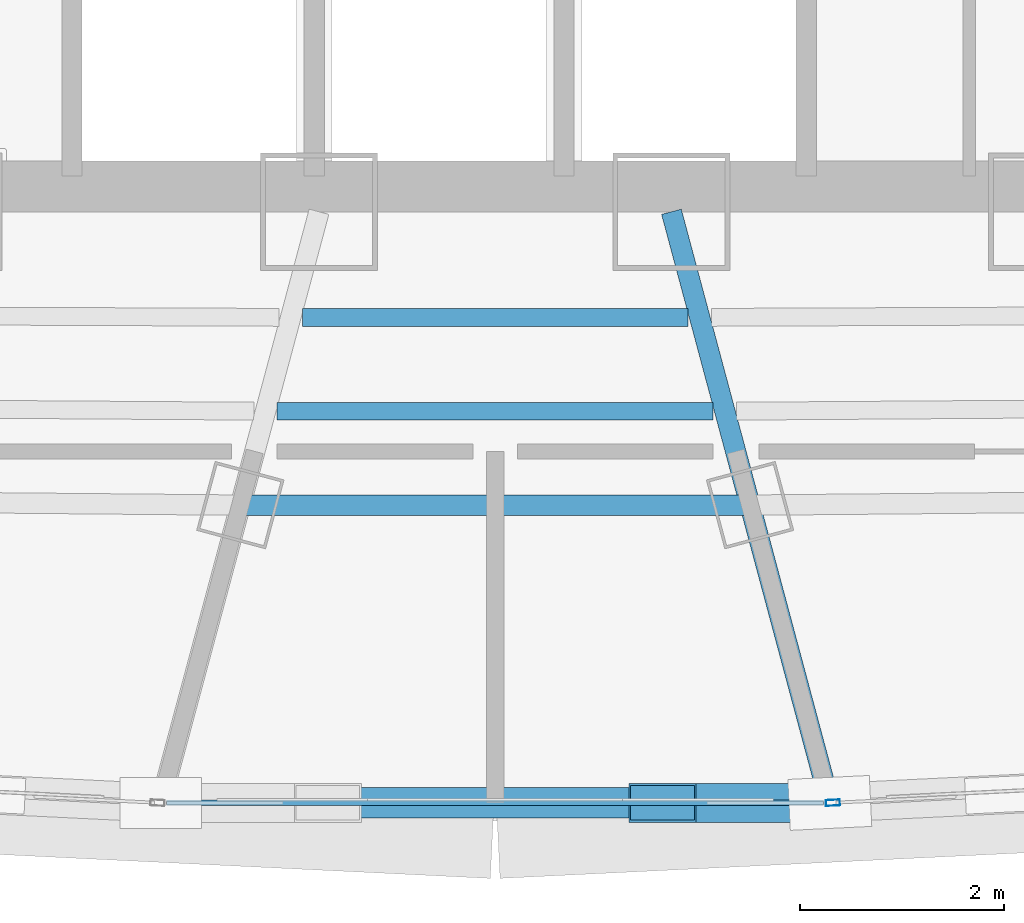
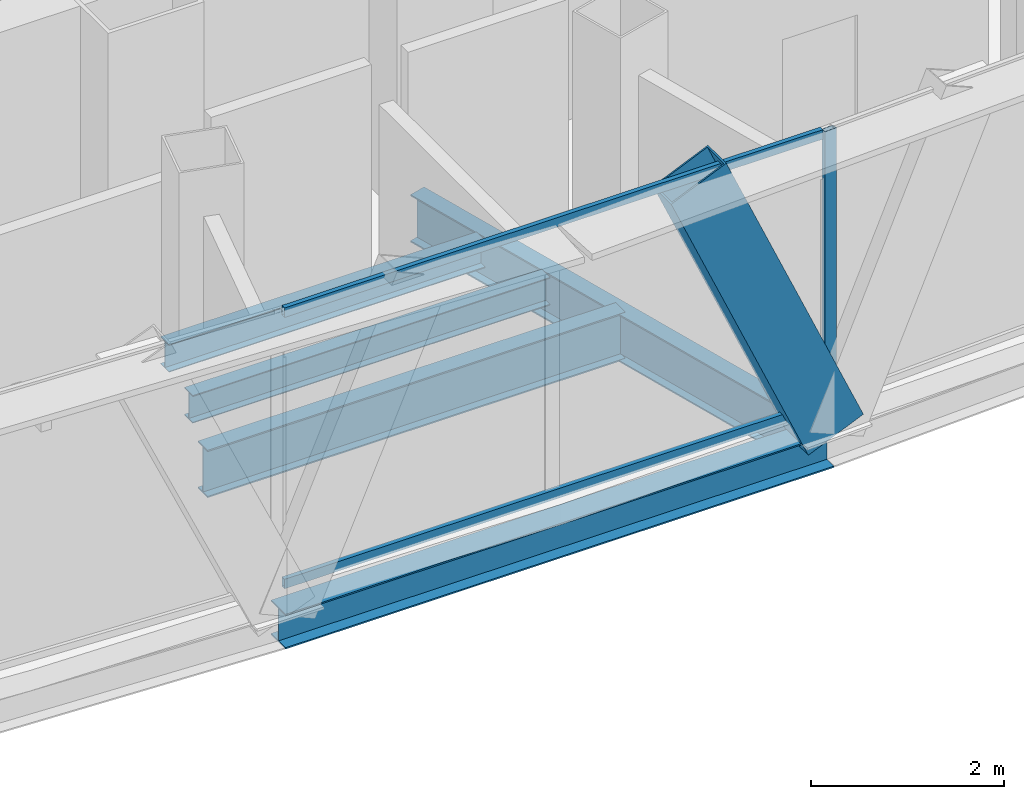
# One storey, part 5 of 28: 5 beams, 4 members, 2 elements without a shape of their own.
"""IFC4 building model written with IfcOpenShell, lengths in metres."""

from ifc_helpers import new_model, si_unit, direction, frame, origin, origin_2d, place, context, subcontext, project, spatial, hollow_rectangle, i_section, extrude, source, transform, mapped, material, layer, layer_set, material_profile, profile_set, type_object, element, aggregate, save


model = new_model("IFC4")

# Units and contexts
model_context = context("Model", 3, precision=1e-05, world=origin(), true_north=direction((0.0, 1.0)))
body_context = subcontext(model_context, "Body", "Model", "MODEL_VIEW")
ifc_project = project(units=[si_unit("LENGTHUNIT", "METRE"), si_unit("AREAUNIT", "SQUARE_METRE"), si_unit("VOLUMEUNIT", "CUBIC_METRE"), si_unit("PLANEANGLEUNIT", "RADIAN"), si_unit("MASSUNIT", "GRAM", prefix="KILO"), si_unit("THERMODYNAMICTEMPERATUREUNIT", "KELVIN"), si_unit("POWERUNIT", "WATT")], contexts=[model_context])

# Site, building, storey
site_placement = place(None, origin())
site = spatial("IfcSite", under=ifc_project, at=site_placement, CompositionType="ELEMENT")
building_placement = place(site_placement, origin())
building = spatial("IfcBuilding", under=site, at=building_placement, Name="Yunzhuo Pagoda Commons", CompositionType="ELEMENT")
storey_placement = place(building_placement, frame((0.0, 0.0, 336.760009765625)))
storey = spatial("IfcBuildingStorey", under=building, at=storey_placement, Name="L84", CompositionType="ELEMENT", Elevation=336.760009765625)

# Beams
ifc_material_1 = material(Name="Structural steel Q355B", Category="steel")
ifc_material_profile_1 = material_profile(ifc_material_1, i_section(OverallWidth=0.199951171875, OverallDepth=0.60009765625, WebThickness=0.010986328125, FlangeThickness=0.01708984375, at=origin_2d()), Name="Structural steel Q355B")
ifc_profile_set_1 = profile_set([ifc_material_profile_1], Name="Structural steel Q355B")
beam_type_1 = type_object("IfcBeamType", Name="B-RG3 Beam HN 600x200x11x17", PredefinedType="BEAM", material=ifc_profile_set_1)
shared_shape_1 = source(origin(), body_context, "Body", "SweptSolid", [
    extrude(i_section(OverallWidth=0.199951171875, OverallDepth=0.60009765625, WebThickness=0.010986328125, FlangeThickness=0.01708984375, at=origin_2d()), origin(), (0.0, 0.0, 1.0), 4.99853515625),
])
beam_1_placement = place(storey_placement, frame((45.500732421875, 24.372802734375, -0.56005859375), z_axis=(1.0, 0.0, 0.0), x_axis=(0.0, 1.0, 0.0)))
element("IfcBeam", 1, at=beam_1_placement, inside=storey, type_object=beam_type_1, Name="L84 column-ring beam 2", PredefinedType="BEAM", context=body_context, shape_type="MappedRepresentation", body=[
    mapped(shared_shape_1, transform((0.0, 0.0, 0.0), scale=1.0)),
])
ifc_material_profile_2 = material_profile(ifc_material_1, i_section(OverallWidth=0.175048828125, OverallDepth=0.35009765625, WebThickness=0.007080078125, FlangeThickness=0.010986328125, at=origin_2d()), Name="Structural steel Q355B")
ifc_profile_set_2 = profile_set([ifc_material_profile_2], Name="Structural steel Q355B")
beam_type_2 = type_object("IfcBeamType", Name="B-JS2 Joist HN 350x175x7x11", PredefinedType="JOIST", material=ifc_profile_set_2)
shared_shape_2 = source(origin(), body_context, "Body", "SweptSolid", [
    extrude(i_section(OverallWidth=0.175048828125, OverallDepth=0.35009765625, WebThickness=0.007080078125, FlangeThickness=0.010986328125, at=origin_2d()), origin(), (0.0, 0.0, 1.0), 3.78173828125),
])
beam_2_placement = place(storey_placement, frame((46.109130859375, 26.214111328125, -0.43505859375), z_axis=(1.0, 0.0, 0.0), x_axis=(0.0, 1.0, 0.0)))
element("IfcBeam", 2, at=beam_2_placement, inside=storey, type_object=beam_type_2, Name="L84 composite ring joist 1.2", PredefinedType="JOIST", context=body_context, shape_type="MappedRepresentation", body=[
    mapped(shared_shape_2, transform((0.0, 0.0, 0.0), scale=1.0)),
])
shared_shape_3 = source(origin(), body_context, "Body", "SweptSolid", [
    extrude(i_section(OverallWidth=0.175048828125, OverallDepth=0.35009765625, WebThickness=0.007080078125, FlangeThickness=0.010986328125, at=origin_2d()), origin(), (0.0, 0.0, 1.0), 4.27490234375),
])
beam_3_placement = place(storey_placement, frame((45.862548828125, 25.29345703125, -0.43505859375), z_axis=(1.0, 0.0, 0.0), x_axis=(0.0, 1.0, 0.0)))
element("IfcBeam", 3, at=beam_3_placement, inside=storey, type_object=beam_type_2, Name="L84 composite ring joist 2.2", PredefinedType="JOIST", context=body_context, shape_type="MappedRepresentation", body=[
    mapped(shared_shape_3, transform((0.0, 0.0, 0.0), scale=1.0)),
])
shared_shape_4 = source(origin(), body_context, "Body", "SweptSolid", [
    extrude(i_section(OverallWidth=0.199951171875, OverallDepth=0.60009765625, WebThickness=0.010986328125, FlangeThickness=0.01708984375, at=origin_2d()), origin(), (0.0, 0.0, 1.0), 5.84716796875),
])
beam_4_placement = place(storey_placement, frame((51.24169921875, 21.60205078125, -0.56005859375), z_axis=(-0.258790348668, 0.965933515019, 0.0), x_axis=(-0.965933515019, -0.258790348668, 0.0)))
element("IfcBeam", 4, at=beam_4_placement, inside=storey, type_object=beam_type_1, Name="L84 radial floor girder F1C3", PredefinedType="BEAM", context=body_context, shape_type="MappedRepresentation", body=[
    mapped(shared_shape_4, transform((0.0, 0.0, 0.0), scale=1.0)),
])
ifc_material_profile_3 = material_profile(ifc_material_1, i_section(OverallWidth=0.300048828125, OverallDepth=0.43994140625, WebThickness=0.010986328125, FlangeThickness=0.01806640625, at=origin_2d()), Name="Structural steel Q355B")
ifc_profile_set_3 = profile_set([ifc_material_profile_3], Name="Structural steel Q355B")
beam_type_3 = type_object("IfcBeamType", Name="B-SP2 Beam HM 440x300x11x18", PredefinedType="BEAM", material=ifc_profile_set_3)
shared_shape_5 = source(origin(), body_context, "Body", "SweptSolid", [
    extrude(i_section(OverallWidth=0.300048828125, OverallDepth=0.43994140625, WebThickness=0.010986328125, FlangeThickness=0.01806640625, at=origin_2d()), origin(), (0.0, 0.0, 1.0), 6.5634765625),
])
beam_5_placement = place(storey_placement, frame((44.71826171875, 21.452392578125, -0.47998046875), z_axis=(1.0, 0.0, 0.0), x_axis=(0.0, 1.0, 0.0)))
element("IfcBeam", 5, at=beam_5_placement, inside=storey, type_object=beam_type_3, Name="L84 facade edge spandrel beam F1.2", PredefinedType="BEAM", context=body_context, shape_type="MappedRepresentation", body=[
    mapped(shared_shape_5, transform((0.0, 0.0, 0.0), scale=1.0)),
])

# Member
ifc_material_profile_4 = material_profile(ifc_material_1, hollow_rectangle(XDim=0.3798828125, YDim=0.719970703125, WallThickness=0.02001953125, at=origin_2d()), Name="Structural steel Q355B")
ifc_profile_set_4 = profile_set([ifc_material_profile_4], Name="Structural steel Q355B")
member_type_1 = type_object("IfcMemberType", Name="M-DL3 Brace BOX 720x380x20", PredefinedType="BRACE", material=ifc_profile_set_4)
shared_shape_6 = source(origin(), body_context, "Body", "SweptSolid", [
    extrude(hollow_rectangle(XDim=0.3798828125, YDim=0.719970703125, WallThickness=0.02001953125, at=origin_2d()), origin(), (0.0, 0.0, 1.0), 4.09326171875),
])
member_1_placement = place(storey_placement, frame((51.28173828125, 21.452392578125, -0.260009765625), z_axis=(-0.400868895467, 0.0, 0.91613543139), x_axis=(0.0, -1.0, 0.0)))
element("IfcMember", 6, at=member_1_placement, inside=storey, type_object=member_type_1, Name="L84 facade diamond brace F1.2R", PredefinedType="BRACE", context=body_context, shape_type="MappedRepresentation", body=[
    mapped(shared_shape_6, transform((0.0, 0.0, 0.0), scale=1.0)),
])

# Curtain wall, member
ifc_material_2 = material(Name="Anodized aluminium 6063-T6", Category="aluminium")
ifc_layer = layer(ifc_material_2, 0.139892578125)
ifc_layer_set = layer_set([ifc_layer], Name="Anodized aluminium 6063-T6")
curtain_wall_type = type_object("IfcCurtainWallType", Name="CW-HI High-Zone Ribbon Curtain Wall", PredefinedType="NOTDEFINED", material=ifc_layer_set)
curtain_wall_1_placement = place(storey_placement, origin())
curtain_wall_1 = element("IfcCurtainWall", 7, at=curtain_wall_1_placement, inside=storey, type_object=curtain_wall_type, Name="L84 curtain wall CW-L84-F1B4", PredefinedType="NOTDEFINED")
ifc_material_profile_5 = material_profile(ifc_material_2, hollow_rectangle(XDim=0.06005859375, YDim=0.139892578125, WallThickness=0.00341796875, at=origin_2d()), Name="Anodized aluminium 6063-T6")
ifc_profile_set_5 = profile_set([ifc_material_profile_5], Name="Anodized aluminium 6063-T6")
member_type_2 = type_object("IfcMemberType", Name="CW-HI-M Mullion RHS 140x60x3.5", PredefinedType="MULLION", material=ifc_profile_set_5)
shared_shape_7 = source(origin(), body_context, "Body", "SweptSolid", [
    extrude(hollow_rectangle(XDim=0.06005859375, YDim=0.139892578125, WallThickness=0.00341796875, at=origin_2d()), origin(), (0.0, 0.0, 1.0), 3.489990234375),
])
member_2_placement = place(storey_placement, frame((51.311767578125, 21.453857421875, 0.0), z_axis=(0.0, 0.0, 1.0), x_axis=(-0.048905572213, 0.998803406585, 0.0)))
member_2 = element("IfcMember", 8, at=member_2_placement, type_object=member_type_2, Name="CW mullion 1", PredefinedType="MULLION", context=body_context, shape_type="MappedRepresentation", body=[
    mapped(shared_shape_7, transform((0.0, 0.0, 0.0), scale=1.0)),
])
aggregate(curtain_wall_1, [member_2])

# Curtain wall, members
curtain_wall_2_placement = place(storey_placement, origin())
curtain_wall_2 = element("IfcCurtainWall", 9, at=curtain_wall_2_placement, inside=storey, type_object=curtain_wall_type, Name="L84 curtain wall CW-L84-F1B3", PredefinedType="NOTDEFINED")
ifc_material_profile_6 = material_profile(ifc_material_2, hollow_rectangle(XDim=0.054931640625, YDim=0.1201171875, WallThickness=0.00341796875, at=origin_2d()), Name="Anodized aluminium 6063-T6")
ifc_profile_set_6 = profile_set([ifc_material_profile_6], Name="Anodized aluminium 6063-T6")
member_type_3 = type_object("IfcMemberType", Name="CW-HI-T Transom RHS 120x55x3.5", PredefinedType="USERDEFINED", material=ifc_profile_set_6)
shared_shape_8 = source(origin(), body_context, "Body", "SweptSolid", [
    extrude(hollow_rectangle(XDim=0.054931640625, YDim=0.1201171875, WallThickness=0.00341796875, at=origin_2d()), origin(), (0.0, 0.0, 1.0), 6.443359375),
])
member_3_placement = place(storey_placement, frame((44.7783203125, 21.452392578125, 0.027587890625), z_axis=(1.0, 0.0, 0.0), x_axis=(0.0, 1.0, 0.0)))
member_3 = element("IfcMember", 10, at=member_3_placement, type_object=member_type_3, Name="CW transom 1.1", ObjectType="TRANSOM", PredefinedType="USERDEFINED", context=body_context, shape_type="MappedRepresentation", body=[
    mapped(shared_shape_8, transform((0.0, 0.0, 0.0), scale=1.0)),
])
member_4_placement = place(storey_placement, frame((44.7783203125, 21.452392578125, 3.46240234375), z_axis=(1.0, 0.0, 0.0), x_axis=(0.0, 1.0, 0.0)))
member_4 = element("IfcMember", 11, at=member_4_placement, type_object=member_type_3, Name="CW transom 1.2", ObjectType="TRANSOM", PredefinedType="USERDEFINED", context=body_context, shape_type="MappedRepresentation", body=[
    mapped(shared_shape_8, transform((0.0, 0.0, 0.0), scale=1.0)),
])
aggregate(curtain_wall_2, [member_3, member_4])

save(model, "model.ifc")
